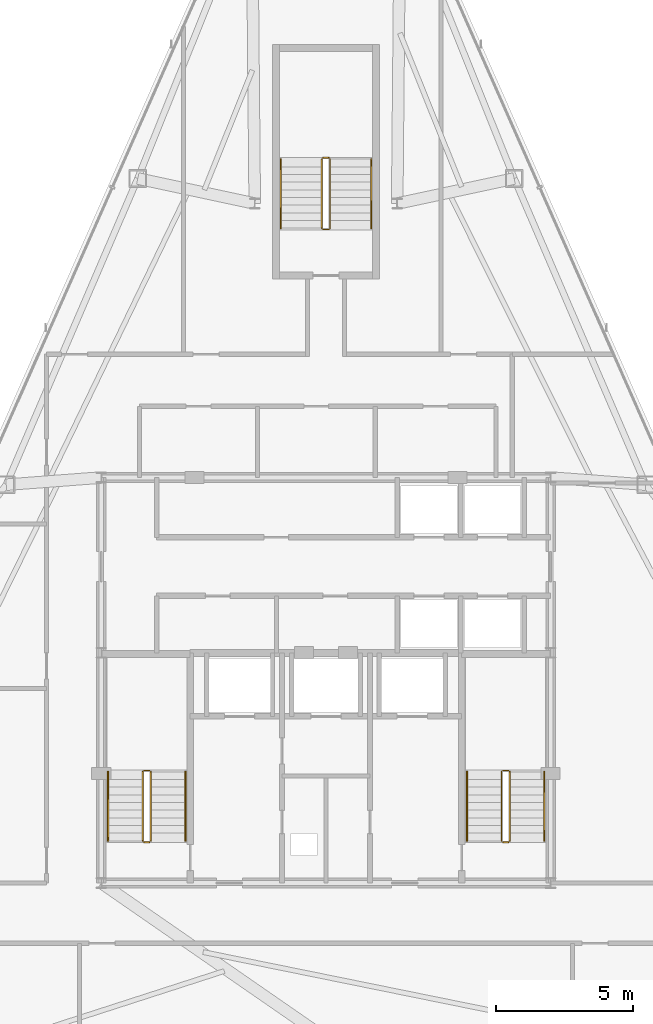
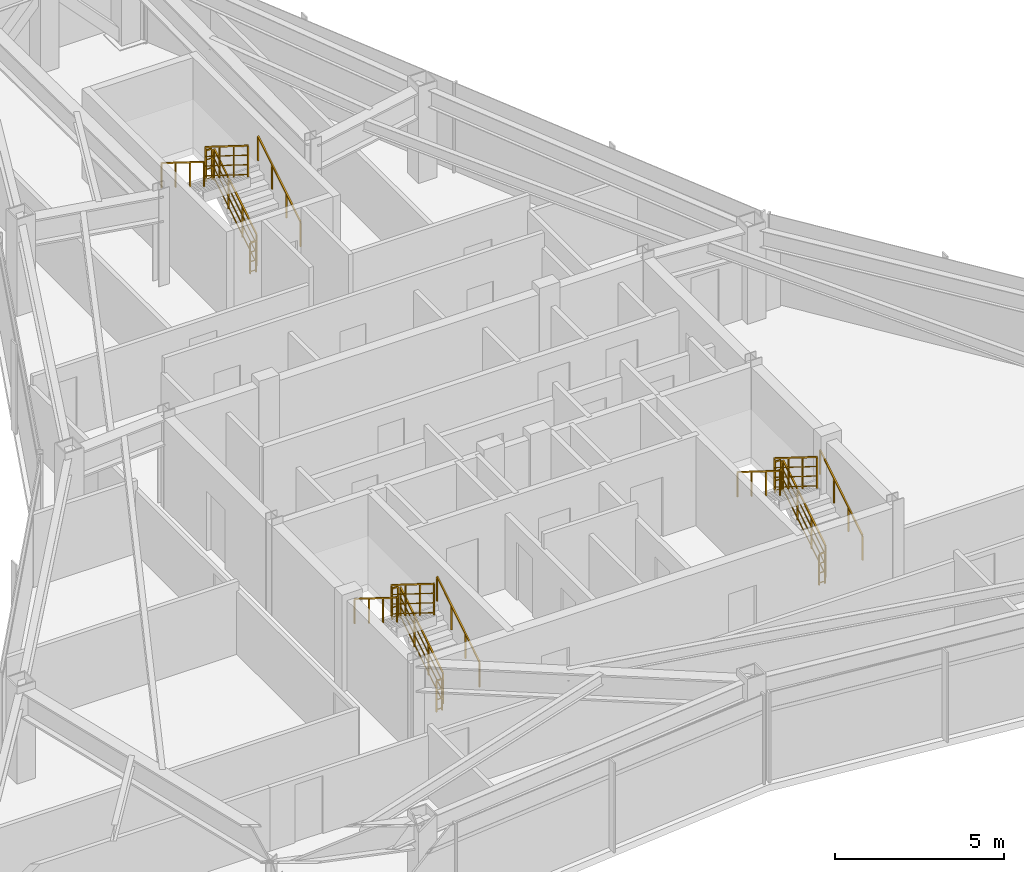
# One storey, part 12 of 12: 18 railings.
"""IFC4 building model written with IfcOpenShell, lengths in metres."""

from ifc_helpers import new_model, si_unit, direction, frame, origin, origin_2d, place, context, subcontext, project, spatial, rectangle, extrude, material, type_object, element, save


model = new_model("IFC4")

# Units and contexts
model_context = context("Model", 3, precision=1e-05, world=origin(), true_north=direction((0.0, 1.0)))
body_context = subcontext(model_context, "Body", "Model", "MODEL_VIEW")
ifc_project = project(units=[si_unit("LENGTHUNIT", "METRE"), si_unit("AREAUNIT", "SQUARE_METRE"), si_unit("VOLUMEUNIT", "CUBIC_METRE"), si_unit("PLANEANGLEUNIT", "RADIAN"), si_unit("MASSUNIT", "GRAM", prefix="KILO")], contexts=[model_context])

# Site, building, storey
site_placement = place(None, origin())
site = spatial("IfcSite", under=ifc_project, at=site_placement, CompositionType="ELEMENT")
building_placement = place(site_placement, origin())
building = spatial("IfcBuilding", under=site, at=building_placement, Name="Varakhsha Concourse Tower", CompositionType="ELEMENT")
storey_placement = place(building_placement, frame((0.0, 0.0, 269.0)))
storey = spatial("IfcBuildingStorey", under=building, at=storey_placement, Name="L76", CompositionType="ELEMENT", Elevation=269.0)

# Railings
ifc_material = material(Name="Brushed Austenitic Stainless Steel AISI 316", Category="steel")
railing_type_1 = type_object("IfcRailingType", Name="RL-STAIR-GUARD-1100", PredefinedType="GUARDRAIL", material=ifc_material)
railing_1_placement = place(storey_placement, frame((33.610107421875, 17.93994140625, 0.175048828125)))
element("IfcRailing", 1, at=railing_1_placement, inside=storey, type_object=railing_type_1, Name="L76 ST1 stair guard 1", PredefinedType="GUARDRAIL", context=body_context, shape_type="SweptSolid", body=[
    extrude(rectangle(XDim=0.048095703125, YDim=0.048095703125, at=origin_2d()), frame((0.0, 0.0, 1.1259765625), z_axis=(0.0, 0.848007534815, 0.529984170421), x_axis=(-1.0, 0.0, 0.0)), (0.0, 0.0, 1.0), 2.9716796875),
    extrude(rectangle(XDim=0.028076171875, YDim=0.028076171875, at=origin_2d()), frame((0.0, 0.0, 0.080078125), z_axis=(0.0, 0.848007534815, 0.529984170421), x_axis=(-1.0, 0.0, 0.0)), (0.0, 0.0, 1.0), 2.9716796875),
    extrude(rectangle(XDim=0.028076171875, YDim=0.028076171875, at=origin_2d()), frame((0.0, 0.0, 0.43701171875), z_axis=(0.0, 0.848007534815, 0.529984170421), x_axis=(-1.0, 0.0, 0.0)), (0.0, 0.0, 1.0), 2.9716796875),
    extrude(rectangle(XDim=0.028076171875, YDim=0.028076171875, at=origin_2d()), frame((0.0, 0.0, 0.781982421875), z_axis=(0.0, 0.848007534815, 0.529984170421), x_axis=(-1.0, 0.0, 0.0)), (0.0, 0.0, 1.0), 2.9716796875),
    extrude(rectangle(XDim=0.0419921875, YDim=0.0419921875, at=origin_2d()), origin(), (0.0, 0.0, 1.0), 1.101806640625),
    extrude(rectangle(XDim=0.0419921875, YDim=0.0419921875, at=origin_2d()), frame((0.0, 0.840087890625, 0.52490234375)), (0.0, 0.0, 1.0), 1.101806640625),
    extrude(rectangle(XDim=0.0419921875, YDim=0.0419921875, at=origin_2d()), frame((0.0, 1.679931640625, 1.050048828125)), (0.0, 0.0, 1.0), 1.101806640625),
    extrude(rectangle(XDim=0.0419921875, YDim=0.0419921875, at=origin_2d()), frame((0.0, 2.52001953125, 1.574951171875)), (0.0, 0.0, 1.0), 1.101806640625),
])
railing_2_placement = place(storey_placement, frame((33.56005859375, 20.510009765625, 1.75)))
element("IfcRailing", 2, at=railing_2_placement, inside=storey, type_object=railing_type_1, Name="L76 ST1 stair guard 2", PredefinedType="GUARDRAIL", context=body_context, shape_type="SweptSolid", body=[
    extrude(rectangle(XDim=0.048095703125, YDim=0.048095703125, at=origin_2d()), frame((0.0, 0.0, 1.1259765625), z_axis=(-1.0, 0.0, 0.0), x_axis=(0.0, -1.0, 0.0)), (0.0, 0.0, 1.0), 0.199951171875),
    extrude(rectangle(XDim=0.028076171875, YDim=0.028076171875, at=origin_2d()), frame((0.0, 0.0, 0.080078125), z_axis=(-1.0, 0.0, 0.0), x_axis=(0.0, -1.0, 0.0)), (0.0, 0.0, 1.0), 0.199951171875),
    extrude(rectangle(XDim=0.028076171875, YDim=0.028076171875, at=origin_2d()), frame((0.0, 0.0, 0.43701171875), z_axis=(-1.0, 0.0, 0.0), x_axis=(0.0, -1.0, 0.0)), (0.0, 0.0, 1.0), 0.199951171875),
    extrude(rectangle(XDim=0.028076171875, YDim=0.028076171875, at=origin_2d()), frame((0.0, 0.0, 0.781982421875), z_axis=(-1.0, 0.0, 0.0), x_axis=(0.0, -1.0, 0.0)), (0.0, 0.0, 1.0), 0.199951171875),
    extrude(rectangle(XDim=0.0419921875, YDim=0.0419921875, at=origin_2d()), origin(), (0.0, 0.0, 1.0), 1.101806640625),
    extrude(rectangle(XDim=0.0419921875, YDim=0.0419921875, at=origin_2d()), frame((-0.199951171875, 0.0, 0.0)), (0.0, 0.0, 1.0), 1.101806640625),
])
railing_3_placement = place(storey_placement, frame((33.31005859375, 20.4599609375, 1.925048828125)))
element("IfcRailing", 3, at=railing_3_placement, inside=storey, type_object=railing_type_1, Name="L76 ST1 stair guard 3", PredefinedType="GUARDRAIL", context=body_context, shape_type="SweptSolid", body=[
    extrude(rectangle(XDim=0.048095703125, YDim=0.048095703125, at=origin_2d()), frame((0.0, 0.0, 1.1259765625), z_axis=(0.0, -0.848007534815, 0.529984170421), x_axis=(1.0, 0.0, 0.0)), (0.0, 0.0, 1.0), 2.9716796875),
    extrude(rectangle(XDim=0.028076171875, YDim=0.028076171875, at=origin_2d()), frame((0.0, 0.0, 0.080078125), z_axis=(0.0, -0.848007534815, 0.529984170421), x_axis=(1.0, 0.0, 0.0)), (0.0, 0.0, 1.0), 2.9716796875),
    extrude(rectangle(XDim=0.028076171875, YDim=0.028076171875, at=origin_2d()), frame((0.0, 0.0, 0.43701171875), z_axis=(0.0, -0.848007534815, 0.529984170421), x_axis=(1.0, 0.0, 0.0)), (0.0, 0.0, 1.0), 2.9716796875),
    extrude(rectangle(XDim=0.028076171875, YDim=0.028076171875, at=origin_2d()), frame((0.0, 0.0, 0.781982421875), z_axis=(0.0, -0.848007534815, 0.529984170421), x_axis=(1.0, 0.0, 0.0)), (0.0, 0.0, 1.0), 2.9716796875),
    extrude(rectangle(XDim=0.0419921875, YDim=0.0419921875, at=origin_2d()), origin(), (0.0, 0.0, 1.0), 1.101806640625),
    extrude(rectangle(XDim=0.0419921875, YDim=0.0419921875, at=origin_2d()), frame((0.0, -0.840087890625, 0.52490234375)), (0.0, 0.0, 1.0), 1.101806640625),
    extrude(rectangle(XDim=0.0419921875, YDim=0.0419921875, at=origin_2d()), frame((0.0, -1.679931640625, 1.050048828125)), (0.0, 0.0, 1.0), 1.101806640625),
    extrude(rectangle(XDim=0.0419921875, YDim=0.0419921875, at=origin_2d()), frame((0.0, -2.52001953125, 1.574951171875)), (0.0, 0.0, 1.0), 1.101806640625),
])
railing_4_placement = place(storey_placement, frame((33.56005859375, 17.889892578125, 0.0)))
element("IfcRailing", 4, at=railing_4_placement, inside=storey, type_object=railing_type_1, Name="L76 ST1 stair guard 4", PredefinedType="GUARDRAIL", context=body_context, shape_type="SweptSolid", body=[
    extrude(rectangle(XDim=0.048095703125, YDim=0.048095703125, at=origin_2d()), frame((0.0, 0.0, 1.1259765625), z_axis=(-1.0, 0.0, 0.0), x_axis=(0.0, -1.0, 0.0)), (0.0, 0.0, 1.0), 0.199951171875),
    extrude(rectangle(XDim=0.028076171875, YDim=0.028076171875, at=origin_2d()), frame((0.0, 0.0, 0.080078125), z_axis=(-1.0, 0.0, 0.0), x_axis=(0.0, -1.0, 0.0)), (0.0, 0.0, 1.0), 0.199951171875),
    extrude(rectangle(XDim=0.028076171875, YDim=0.028076171875, at=origin_2d()), frame((0.0, 0.0, 0.43701171875), z_axis=(-1.0, 0.0, 0.0), x_axis=(0.0, -1.0, 0.0)), (0.0, 0.0, 1.0), 0.199951171875),
    extrude(rectangle(XDim=0.028076171875, YDim=0.028076171875, at=origin_2d()), frame((0.0, 0.0, 0.781982421875), z_axis=(-1.0, 0.0, 0.0), x_axis=(0.0, -1.0, 0.0)), (0.0, 0.0, 1.0), 0.199951171875),
    extrude(rectangle(XDim=0.0419921875, YDim=0.0419921875, at=origin_2d()), origin(), (0.0, 0.0, 1.0), 1.101806640625),
    extrude(rectangle(XDim=0.0419921875, YDim=0.0419921875, at=origin_2d()), frame((-0.199951171875, 0.0, 0.0)), (0.0, 0.0, 1.0), 1.101806640625),
])
railing_5_placement = place(storey_placement, frame((46.7099609375, 17.93994140625, 0.175048828125)))
element("IfcRailing", 5, at=railing_5_placement, inside=storey, type_object=railing_type_1, Name="L76 ST2 stair guard 1", PredefinedType="GUARDRAIL", context=body_context, shape_type="SweptSolid", body=[
    extrude(rectangle(XDim=0.048095703125, YDim=0.048095703125, at=origin_2d()), frame((0.0, 0.0, 1.1259765625), z_axis=(0.0, 0.848007534815, 0.529984170421), x_axis=(-1.0, 0.0, 0.0)), (0.0, 0.0, 1.0), 2.9716796875),
    extrude(rectangle(XDim=0.028076171875, YDim=0.028076171875, at=origin_2d()), frame((0.0, 0.0, 0.080078125), z_axis=(0.0, 0.848007534815, 0.529984170421), x_axis=(-1.0, 0.0, 0.0)), (0.0, 0.0, 1.0), 2.9716796875),
    extrude(rectangle(XDim=0.028076171875, YDim=0.028076171875, at=origin_2d()), frame((0.0, 0.0, 0.43701171875), z_axis=(0.0, 0.848007534815, 0.529984170421), x_axis=(-1.0, 0.0, 0.0)), (0.0, 0.0, 1.0), 2.9716796875),
    extrude(rectangle(XDim=0.028076171875, YDim=0.028076171875, at=origin_2d()), frame((0.0, 0.0, 0.781982421875), z_axis=(0.0, 0.848007534815, 0.529984170421), x_axis=(-1.0, 0.0, 0.0)), (0.0, 0.0, 1.0), 2.9716796875),
    extrude(rectangle(XDim=0.0419921875, YDim=0.0419921875, at=origin_2d()), origin(), (0.0, 0.0, 1.0), 1.101806640625),
    extrude(rectangle(XDim=0.0419921875, YDim=0.0419921875, at=origin_2d()), frame((0.0, 0.840087890625, 0.52490234375)), (0.0, 0.0, 1.0), 1.101806640625),
    extrude(rectangle(XDim=0.0419921875, YDim=0.0419921875, at=origin_2d()), frame((0.0, 1.679931640625, 1.050048828125)), (0.0, 0.0, 1.0), 1.101806640625),
    extrude(rectangle(XDim=0.0419921875, YDim=0.0419921875, at=origin_2d()), frame((0.0, 2.52001953125, 1.574951171875)), (0.0, 0.0, 1.0), 1.101806640625),
])
railing_6_placement = place(storey_placement, frame((46.659912109375, 20.510009765625, 1.75)))
element("IfcRailing", 6, at=railing_6_placement, inside=storey, type_object=railing_type_1, Name="L76 ST2 stair guard 2", PredefinedType="GUARDRAIL", context=body_context, shape_type="SweptSolid", body=[
    extrude(rectangle(XDim=0.048095703125, YDim=0.048095703125, at=origin_2d()), frame((0.0, 0.0, 1.1259765625), z_axis=(-1.0, 0.0, 0.0), x_axis=(0.0, -1.0, 0.0)), (0.0, 0.0, 1.0), 0.199951171875),
    extrude(rectangle(XDim=0.028076171875, YDim=0.028076171875, at=origin_2d()), frame((0.0, 0.0, 0.080078125), z_axis=(-1.0, 0.0, 0.0), x_axis=(0.0, -1.0, 0.0)), (0.0, 0.0, 1.0), 0.199951171875),
    extrude(rectangle(XDim=0.028076171875, YDim=0.028076171875, at=origin_2d()), frame((0.0, 0.0, 0.43701171875), z_axis=(-1.0, 0.0, 0.0), x_axis=(0.0, -1.0, 0.0)), (0.0, 0.0, 1.0), 0.199951171875),
    extrude(rectangle(XDim=0.028076171875, YDim=0.028076171875, at=origin_2d()), frame((0.0, 0.0, 0.781982421875), z_axis=(-1.0, 0.0, 0.0), x_axis=(0.0, -1.0, 0.0)), (0.0, 0.0, 1.0), 0.199951171875),
    extrude(rectangle(XDim=0.0419921875, YDim=0.0419921875, at=origin_2d()), origin(), (0.0, 0.0, 1.0), 1.101806640625),
    extrude(rectangle(XDim=0.0419921875, YDim=0.0419921875, at=origin_2d()), frame((-0.199951171875, 0.0, 0.0)), (0.0, 0.0, 1.0), 1.101806640625),
])
railing_7_placement = place(storey_placement, frame((46.409912109375, 20.4599609375, 1.925048828125)))
element("IfcRailing", 7, at=railing_7_placement, inside=storey, type_object=railing_type_1, Name="L76 ST2 stair guard 3", PredefinedType="GUARDRAIL", context=body_context, shape_type="SweptSolid", body=[
    extrude(rectangle(XDim=0.048095703125, YDim=0.048095703125, at=origin_2d()), frame((0.0, 0.0, 1.1259765625), z_axis=(0.0, -0.848007534815, 0.529984170421), x_axis=(1.0, 0.0, 0.0)), (0.0, 0.0, 1.0), 2.9716796875),
    extrude(rectangle(XDim=0.028076171875, YDim=0.028076171875, at=origin_2d()), frame((0.0, 0.0, 0.080078125), z_axis=(0.0, -0.848007534815, 0.529984170421), x_axis=(1.0, 0.0, 0.0)), (0.0, 0.0, 1.0), 2.9716796875),
    extrude(rectangle(XDim=0.028076171875, YDim=0.028076171875, at=origin_2d()), frame((0.0, 0.0, 0.43701171875), z_axis=(0.0, -0.848007534815, 0.529984170421), x_axis=(1.0, 0.0, 0.0)), (0.0, 0.0, 1.0), 2.9716796875),
    extrude(rectangle(XDim=0.028076171875, YDim=0.028076171875, at=origin_2d()), frame((0.0, 0.0, 0.781982421875), z_axis=(0.0, -0.848007534815, 0.529984170421), x_axis=(1.0, 0.0, 0.0)), (0.0, 0.0, 1.0), 2.9716796875),
    extrude(rectangle(XDim=0.0419921875, YDim=0.0419921875, at=origin_2d()), origin(), (0.0, 0.0, 1.0), 1.101806640625),
    extrude(rectangle(XDim=0.0419921875, YDim=0.0419921875, at=origin_2d()), frame((0.0, -0.840087890625, 0.52490234375)), (0.0, 0.0, 1.0), 1.101806640625),
    extrude(rectangle(XDim=0.0419921875, YDim=0.0419921875, at=origin_2d()), frame((0.0, -1.679931640625, 1.050048828125)), (0.0, 0.0, 1.0), 1.101806640625),
    extrude(rectangle(XDim=0.0419921875, YDim=0.0419921875, at=origin_2d()), frame((0.0, -2.52001953125, 1.574951171875)), (0.0, 0.0, 1.0), 1.101806640625),
])
railing_8_placement = place(storey_placement, frame((46.659912109375, 17.889892578125, 0.0)))
element("IfcRailing", 8, at=railing_8_placement, inside=storey, type_object=railing_type_1, Name="L76 ST2 stair guard 4", PredefinedType="GUARDRAIL", context=body_context, shape_type="SweptSolid", body=[
    extrude(rectangle(XDim=0.048095703125, YDim=0.048095703125, at=origin_2d()), frame((0.0, 0.0, 1.1259765625), z_axis=(-1.0, 0.0, 0.0), x_axis=(0.0, -1.0, 0.0)), (0.0, 0.0, 1.0), 0.199951171875),
    extrude(rectangle(XDim=0.028076171875, YDim=0.028076171875, at=origin_2d()), frame((0.0, 0.0, 0.080078125), z_axis=(-1.0, 0.0, 0.0), x_axis=(0.0, -1.0, 0.0)), (0.0, 0.0, 1.0), 0.199951171875),
    extrude(rectangle(XDim=0.028076171875, YDim=0.028076171875, at=origin_2d()), frame((0.0, 0.0, 0.43701171875), z_axis=(-1.0, 0.0, 0.0), x_axis=(0.0, -1.0, 0.0)), (0.0, 0.0, 1.0), 0.199951171875),
    extrude(rectangle(XDim=0.028076171875, YDim=0.028076171875, at=origin_2d()), frame((0.0, 0.0, 0.781982421875), z_axis=(-1.0, 0.0, 0.0), x_axis=(0.0, -1.0, 0.0)), (0.0, 0.0, 1.0), 0.199951171875),
    extrude(rectangle(XDim=0.0419921875, YDim=0.0419921875, at=origin_2d()), origin(), (0.0, 0.0, 1.0), 1.101806640625),
    extrude(rectangle(XDim=0.0419921875, YDim=0.0419921875, at=origin_2d()), frame((-0.199951171875, 0.0, 0.0)), (0.0, 0.0, 1.0), 1.101806640625),
])
railing_9_placement = place(storey_placement, frame((40.14990234375, 40.300048828125, 0.175048828125)))
element("IfcRailing", 9, at=railing_9_placement, inside=storey, type_object=railing_type_1, Name="L76 ST5 stair guard 1", PredefinedType="GUARDRAIL", context=body_context, shape_type="SweptSolid", body=[
    extrude(rectangle(XDim=0.048095703125, YDim=0.048095703125, at=origin_2d()), frame((0.0, 0.0, 1.1259765625), z_axis=(0.0, 0.848007534815, 0.529984170421), x_axis=(-1.0, 0.0, 0.0)), (0.0, 0.0, 1.0), 2.9716796875),
    extrude(rectangle(XDim=0.028076171875, YDim=0.028076171875, at=origin_2d()), frame((0.0, 0.0, 0.080078125), z_axis=(0.0, 0.848007534815, 0.529984170421), x_axis=(-1.0, 0.0, 0.0)), (0.0, 0.0, 1.0), 2.9716796875),
    extrude(rectangle(XDim=0.028076171875, YDim=0.028076171875, at=origin_2d()), frame((0.0, 0.0, 0.43701171875), z_axis=(0.0, 0.848007534815, 0.529984170421), x_axis=(-1.0, 0.0, 0.0)), (0.0, 0.0, 1.0), 2.9716796875),
    extrude(rectangle(XDim=0.028076171875, YDim=0.028076171875, at=origin_2d()), frame((0.0, 0.0, 0.781982421875), z_axis=(0.0, 0.848007534815, 0.529984170421), x_axis=(-1.0, 0.0, 0.0)), (0.0, 0.0, 1.0), 2.9716796875),
    extrude(rectangle(XDim=0.0419921875, YDim=0.0419921875, at=origin_2d()), origin(), (0.0, 0.0, 1.0), 1.101806640625),
    extrude(rectangle(XDim=0.0419921875, YDim=0.0419921875, at=origin_2d()), frame((0.0, 0.840087890625, 0.52490234375)), (0.0, 0.0, 1.0), 1.101806640625),
    extrude(rectangle(XDim=0.0419921875, YDim=0.0419921875, at=origin_2d()), frame((0.0, 1.679931640625, 1.050048828125)), (0.0, 0.0, 1.0), 1.101806640625),
    extrude(rectangle(XDim=0.0419921875, YDim=0.0419921875, at=origin_2d()), frame((0.0, 2.52001953125, 1.574951171875)), (0.0, 0.0, 1.0), 1.101806640625),
])
railing_10_placement = place(storey_placement, frame((40.10009765625, 42.8701171875, 1.75)))
element("IfcRailing", 10, at=railing_10_placement, inside=storey, type_object=railing_type_1, Name="L76 ST5 stair guard 2", PredefinedType="GUARDRAIL", context=body_context, shape_type="SweptSolid", body=[
    extrude(rectangle(XDim=0.048095703125, YDim=0.048095703125, at=origin_2d()), frame((0.0, 0.0, 1.1259765625), z_axis=(-1.0, 0.0, 0.0), x_axis=(0.0, -1.0, 0.0)), (0.0, 0.0, 1.0), 0.2001953125),
    extrude(rectangle(XDim=0.028076171875, YDim=0.028076171875, at=origin_2d()), frame((0.0, 0.0, 0.080078125), z_axis=(-1.0, 0.0, 0.0), x_axis=(0.0, -1.0, 0.0)), (0.0, 0.0, 1.0), 0.2001953125),
    extrude(rectangle(XDim=0.028076171875, YDim=0.028076171875, at=origin_2d()), frame((0.0, 0.0, 0.43701171875), z_axis=(-1.0, 0.0, 0.0), x_axis=(0.0, -1.0, 0.0)), (0.0, 0.0, 1.0), 0.2001953125),
    extrude(rectangle(XDim=0.028076171875, YDim=0.028076171875, at=origin_2d()), frame((0.0, 0.0, 0.781982421875), z_axis=(-1.0, 0.0, 0.0), x_axis=(0.0, -1.0, 0.0)), (0.0, 0.0, 1.0), 0.2001953125),
    extrude(rectangle(XDim=0.0419921875, YDim=0.0419921875, at=origin_2d()), origin(), (0.0, 0.0, 1.0), 1.101806640625),
    extrude(rectangle(XDim=0.0419921875, YDim=0.0419921875, at=origin_2d()), frame((-0.2001953125, 0.0, 0.0)), (0.0, 0.0, 1.0), 1.101806640625),
])
railing_11_placement = place(storey_placement, frame((39.85009765625, 42.820068359375, 1.925048828125)))
element("IfcRailing", 11, at=railing_11_placement, inside=storey, type_object=railing_type_1, Name="L76 ST5 stair guard 3", PredefinedType="GUARDRAIL", context=body_context, shape_type="SweptSolid", body=[
    extrude(rectangle(XDim=0.048095703125, YDim=0.048095703125, at=origin_2d()), frame((0.0, 0.0, 1.1259765625), z_axis=(0.0, -0.848007534815, 0.529984170421), x_axis=(1.0, 0.0, 0.0)), (0.0, 0.0, 1.0), 2.9716796875),
    extrude(rectangle(XDim=0.028076171875, YDim=0.028076171875, at=origin_2d()), frame((0.0, 0.0, 0.080078125), z_axis=(0.0, -0.848007534815, 0.529984170421), x_axis=(1.0, 0.0, 0.0)), (0.0, 0.0, 1.0), 2.9716796875),
    extrude(rectangle(XDim=0.028076171875, YDim=0.028076171875, at=origin_2d()), frame((0.0, 0.0, 0.43701171875), z_axis=(0.0, -0.848007534815, 0.529984170421), x_axis=(1.0, 0.0, 0.0)), (0.0, 0.0, 1.0), 2.9716796875),
    extrude(rectangle(XDim=0.028076171875, YDim=0.028076171875, at=origin_2d()), frame((0.0, 0.0, 0.781982421875), z_axis=(0.0, -0.848007534815, 0.529984170421), x_axis=(1.0, 0.0, 0.0)), (0.0, 0.0, 1.0), 2.9716796875),
    extrude(rectangle(XDim=0.0419921875, YDim=0.0419921875, at=origin_2d()), origin(), (0.0, 0.0, 1.0), 1.101806640625),
    extrude(rectangle(XDim=0.0419921875, YDim=0.0419921875, at=origin_2d()), frame((0.0, -0.840087890625, 0.52490234375)), (0.0, 0.0, 1.0), 1.101806640625),
    extrude(rectangle(XDim=0.0419921875, YDim=0.0419921875, at=origin_2d()), frame((0.0, -1.679931640625, 1.050048828125)), (0.0, 0.0, 1.0), 1.101806640625),
    extrude(rectangle(XDim=0.0419921875, YDim=0.0419921875, at=origin_2d()), frame((0.0, -2.52001953125, 1.574951171875)), (0.0, 0.0, 1.0), 1.101806640625),
])
railing_12_placement = place(storey_placement, frame((40.10009765625, 40.25, 0.0)))
element("IfcRailing", 12, at=railing_12_placement, inside=storey, type_object=railing_type_1, Name="L76 ST5 stair guard 4", PredefinedType="GUARDRAIL", context=body_context, shape_type="SweptSolid", body=[
    extrude(rectangle(XDim=0.048095703125, YDim=0.048095703125, at=origin_2d()), frame((0.0, 0.0, 1.1259765625), z_axis=(-1.0, 0.0, 0.0), x_axis=(0.0, -1.0, 0.0)), (0.0, 0.0, 1.0), 0.2001953125),
    extrude(rectangle(XDim=0.028076171875, YDim=0.028076171875, at=origin_2d()), frame((0.0, 0.0, 0.080078125), z_axis=(-1.0, 0.0, 0.0), x_axis=(0.0, -1.0, 0.0)), (0.0, 0.0, 1.0), 0.2001953125),
    extrude(rectangle(XDim=0.028076171875, YDim=0.028076171875, at=origin_2d()), frame((0.0, 0.0, 0.43701171875), z_axis=(-1.0, 0.0, 0.0), x_axis=(0.0, -1.0, 0.0)), (0.0, 0.0, 1.0), 0.2001953125),
    extrude(rectangle(XDim=0.028076171875, YDim=0.028076171875, at=origin_2d()), frame((0.0, 0.0, 0.781982421875), z_axis=(-1.0, 0.0, 0.0), x_axis=(0.0, -1.0, 0.0)), (0.0, 0.0, 1.0), 0.2001953125),
    extrude(rectangle(XDim=0.0419921875, YDim=0.0419921875, at=origin_2d()), origin(), (0.0, 0.0, 1.0), 1.101806640625),
    extrude(rectangle(XDim=0.0419921875, YDim=0.0419921875, at=origin_2d()), frame((-0.2001953125, 0.0, 0.0)), (0.0, 0.0, 1.0), 1.101806640625),
])
railing_type_2 = type_object("IfcRailingType", Name="RL-STAIR-RAIL-915", PredefinedType="HANDRAIL", material=ifc_material)
railing_13_placement = place(storey_placement, frame((34.8701171875, 17.93994140625, 0.35009765625)))
element("IfcRailing", 13, at=railing_13_placement, inside=storey, type_object=railing_type_2, Name="L76 ST1 stair handrail 1", PredefinedType="HANDRAIL", context=body_context, shape_type="SweptSolid", body=[
    extrude(rectangle(XDim=0.048095703125, YDim=0.048095703125, at=origin_2d()), frame((0.0, 0.0, 0.89111328125), z_axis=(0.0, 0.848007534815, 0.529984170421), x_axis=(-1.0, 0.0, 0.0)), (0.0, 0.0, 1.0), 2.9716796875),
    extrude(rectangle(XDim=0.0419921875, YDim=0.0419921875, at=origin_2d()), origin(), (0.0, 0.0, 1.0), 0.866943359375),
    extrude(rectangle(XDim=0.0419921875, YDim=0.0419921875, at=origin_2d()), frame((0.0, 0.840087890625, 0.52490234375)), (0.0, 0.0, 1.0), 0.866943359375),
    extrude(rectangle(XDim=0.0419921875, YDim=0.0419921875, at=origin_2d()), frame((0.0, 1.679931640625, 1.050048828125)), (0.0, 0.0, 1.0), 0.866943359375),
    extrude(rectangle(XDim=0.0419921875, YDim=0.0419921875, at=origin_2d()), frame((0.0, 2.52001953125, 1.574951171875)), (0.0, 0.0, 1.0), 0.866943359375),
])
railing_14_placement = place(storey_placement, frame((32.050048828125, 20.4599609375, 2.10009765625)))
element("IfcRailing", 14, at=railing_14_placement, inside=storey, type_object=railing_type_2, Name="L76 ST1 stair handrail 2", PredefinedType="HANDRAIL", context=body_context, shape_type="SweptSolid", body=[
    extrude(rectangle(XDim=0.048095703125, YDim=0.048095703125, at=origin_2d()), frame((0.0, 0.0, 0.89111328125), z_axis=(0.0, -0.848007534815, 0.529984170421), x_axis=(1.0, 0.0, 0.0)), (0.0, 0.0, 1.0), 2.9716796875),
    extrude(rectangle(XDim=0.0419921875, YDim=0.0419921875, at=origin_2d()), origin(), (0.0, 0.0, 1.0), 0.866943359375),
    extrude(rectangle(XDim=0.0419921875, YDim=0.0419921875, at=origin_2d()), frame((0.0, -0.840087890625, 0.52490234375)), (0.0, 0.0, 1.0), 0.866943359375),
    extrude(rectangle(XDim=0.0419921875, YDim=0.0419921875, at=origin_2d()), frame((0.0, -1.679931640625, 1.050048828125)), (0.0, 0.0, 1.0), 0.866943359375),
    extrude(rectangle(XDim=0.0419921875, YDim=0.0419921875, at=origin_2d()), frame((0.0, -2.52001953125, 1.574951171875)), (0.0, 0.0, 1.0), 0.866943359375),
])
railing_15_placement = place(storey_placement, frame((47.969970703125, 17.93994140625, 0.35009765625)))
element("IfcRailing", 15, at=railing_15_placement, inside=storey, type_object=railing_type_2, Name="L76 ST2 stair handrail 1", PredefinedType="HANDRAIL", context=body_context, shape_type="SweptSolid", body=[
    extrude(rectangle(XDim=0.048095703125, YDim=0.048095703125, at=origin_2d()), frame((0.0, 0.0, 0.89111328125), z_axis=(0.0, 0.848007534815, 0.529984170421), x_axis=(-1.0, 0.0, 0.0)), (0.0, 0.0, 1.0), 2.9716796875),
    extrude(rectangle(XDim=0.0419921875, YDim=0.0419921875, at=origin_2d()), origin(), (0.0, 0.0, 1.0), 0.866943359375),
    extrude(rectangle(XDim=0.0419921875, YDim=0.0419921875, at=origin_2d()), frame((0.0, 0.840087890625, 0.52490234375)), (0.0, 0.0, 1.0), 0.866943359375),
    extrude(rectangle(XDim=0.0419921875, YDim=0.0419921875, at=origin_2d()), frame((0.0, 1.679931640625, 1.050048828125)), (0.0, 0.0, 1.0), 0.866943359375),
    extrude(rectangle(XDim=0.0419921875, YDim=0.0419921875, at=origin_2d()), frame((0.0, 2.52001953125, 1.574951171875)), (0.0, 0.0, 1.0), 0.866943359375),
])
railing_16_placement = place(storey_placement, frame((45.14990234375, 20.4599609375, 2.10009765625)))
element("IfcRailing", 16, at=railing_16_placement, inside=storey, type_object=railing_type_2, Name="L76 ST2 stair handrail 2", PredefinedType="HANDRAIL", context=body_context, shape_type="SweptSolid", body=[
    extrude(rectangle(XDim=0.048095703125, YDim=0.048095703125, at=origin_2d()), frame((0.0, 0.0, 0.89111328125), z_axis=(0.0, -0.848007534815, 0.529984170421), x_axis=(1.0, 0.0, 0.0)), (0.0, 0.0, 1.0), 2.9716796875),
    extrude(rectangle(XDim=0.0419921875, YDim=0.0419921875, at=origin_2d()), origin(), (0.0, 0.0, 1.0), 0.866943359375),
    extrude(rectangle(XDim=0.0419921875, YDim=0.0419921875, at=origin_2d()), frame((0.0, -0.840087890625, 0.52490234375)), (0.0, 0.0, 1.0), 0.866943359375),
    extrude(rectangle(XDim=0.0419921875, YDim=0.0419921875, at=origin_2d()), frame((0.0, -1.679931640625, 1.050048828125)), (0.0, 0.0, 1.0), 0.866943359375),
    extrude(rectangle(XDim=0.0419921875, YDim=0.0419921875, at=origin_2d()), frame((0.0, -2.52001953125, 1.574951171875)), (0.0, 0.0, 1.0), 0.866943359375),
])
railing_17_placement = place(storey_placement, frame((41.64990234375, 40.300048828125, 0.35009765625)))
element("IfcRailing", 17, at=railing_17_placement, inside=storey, type_object=railing_type_2, Name="L76 ST5 stair handrail 1", PredefinedType="HANDRAIL", context=body_context, shape_type="SweptSolid", body=[
    extrude(rectangle(XDim=0.048095703125, YDim=0.048095703125, at=origin_2d()), frame((0.0, 0.0, 0.89111328125), z_axis=(0.0, 0.848007534815, 0.529984170421), x_axis=(-1.0, 0.0, 0.0)), (0.0, 0.0, 1.0), 2.9716796875),
    extrude(rectangle(XDim=0.0419921875, YDim=0.0419921875, at=origin_2d()), origin(), (0.0, 0.0, 1.0), 0.866943359375),
    extrude(rectangle(XDim=0.0419921875, YDim=0.0419921875, at=origin_2d()), frame((0.0, 0.840087890625, 0.52490234375)), (0.0, 0.0, 1.0), 0.866943359375),
    extrude(rectangle(XDim=0.0419921875, YDim=0.0419921875, at=origin_2d()), frame((0.0, 1.679931640625, 1.050048828125)), (0.0, 0.0, 1.0), 0.866943359375),
    extrude(rectangle(XDim=0.0419921875, YDim=0.0419921875, at=origin_2d()), frame((0.0, 2.52001953125, 1.574951171875)), (0.0, 0.0, 1.0), 0.866943359375),
])
railing_18_placement = place(storey_placement, frame((38.35009765625, 42.820068359375, 2.10009765625)))
element("IfcRailing", 18, at=railing_18_placement, inside=storey, type_object=railing_type_2, Name="L76 ST5 stair handrail 2", PredefinedType="HANDRAIL", context=body_context, shape_type="SweptSolid", body=[
    extrude(rectangle(XDim=0.048095703125, YDim=0.048095703125, at=origin_2d()), frame((0.0, 0.0, 0.89111328125), z_axis=(0.0, -0.848007534815, 0.529984170421), x_axis=(1.0, 0.0, 0.0)), (0.0, 0.0, 1.0), 2.9716796875),
    extrude(rectangle(XDim=0.0419921875, YDim=0.0419921875, at=origin_2d()), origin(), (0.0, 0.0, 1.0), 0.866943359375),
    extrude(rectangle(XDim=0.0419921875, YDim=0.0419921875, at=origin_2d()), frame((0.0, -0.840087890625, 0.52490234375)), (0.0, 0.0, 1.0), 0.866943359375),
    extrude(rectangle(XDim=0.0419921875, YDim=0.0419921875, at=origin_2d()), frame((0.0, -1.679931640625, 1.050048828125)), (0.0, 0.0, 1.0), 0.866943359375),
    extrude(rectangle(XDim=0.0419921875, YDim=0.0419921875, at=origin_2d()), frame((0.0, -2.52001953125, 1.574951171875)), (0.0, 0.0, 1.0), 0.866943359375),
])

save(model, "model.ifc")
